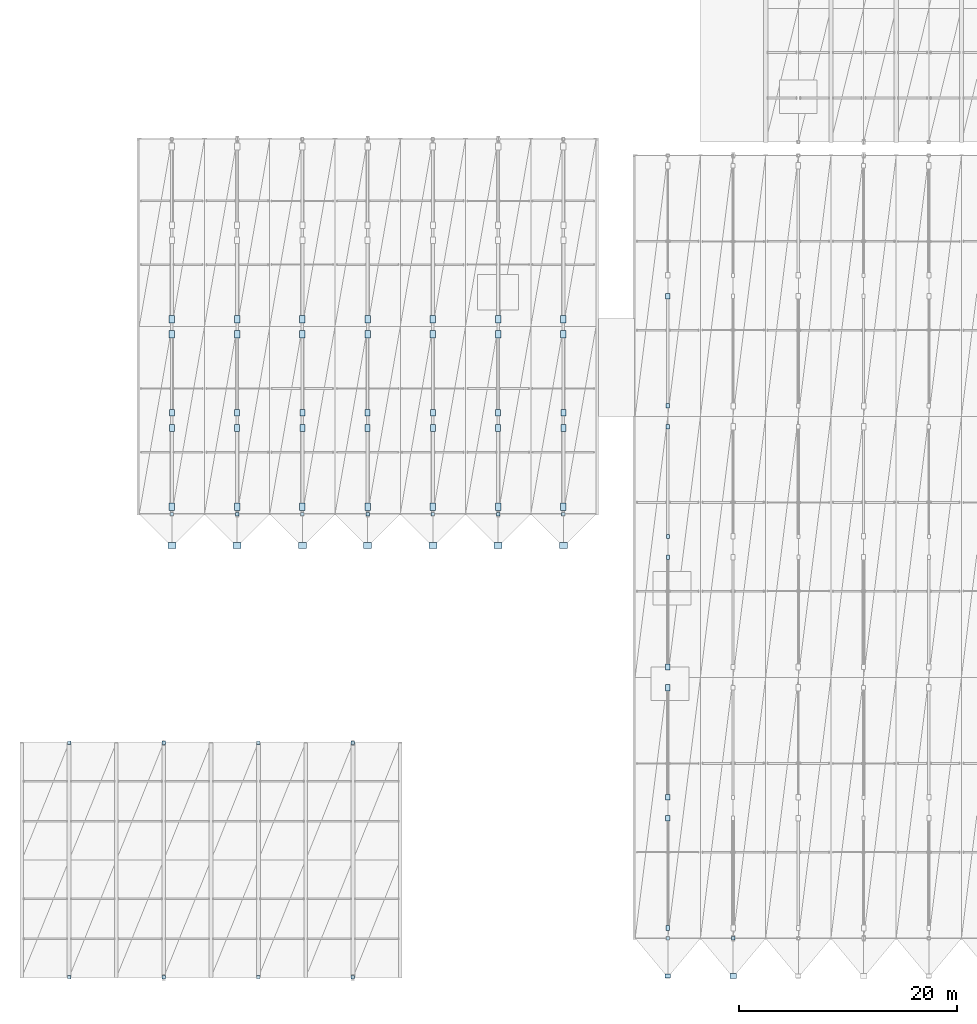
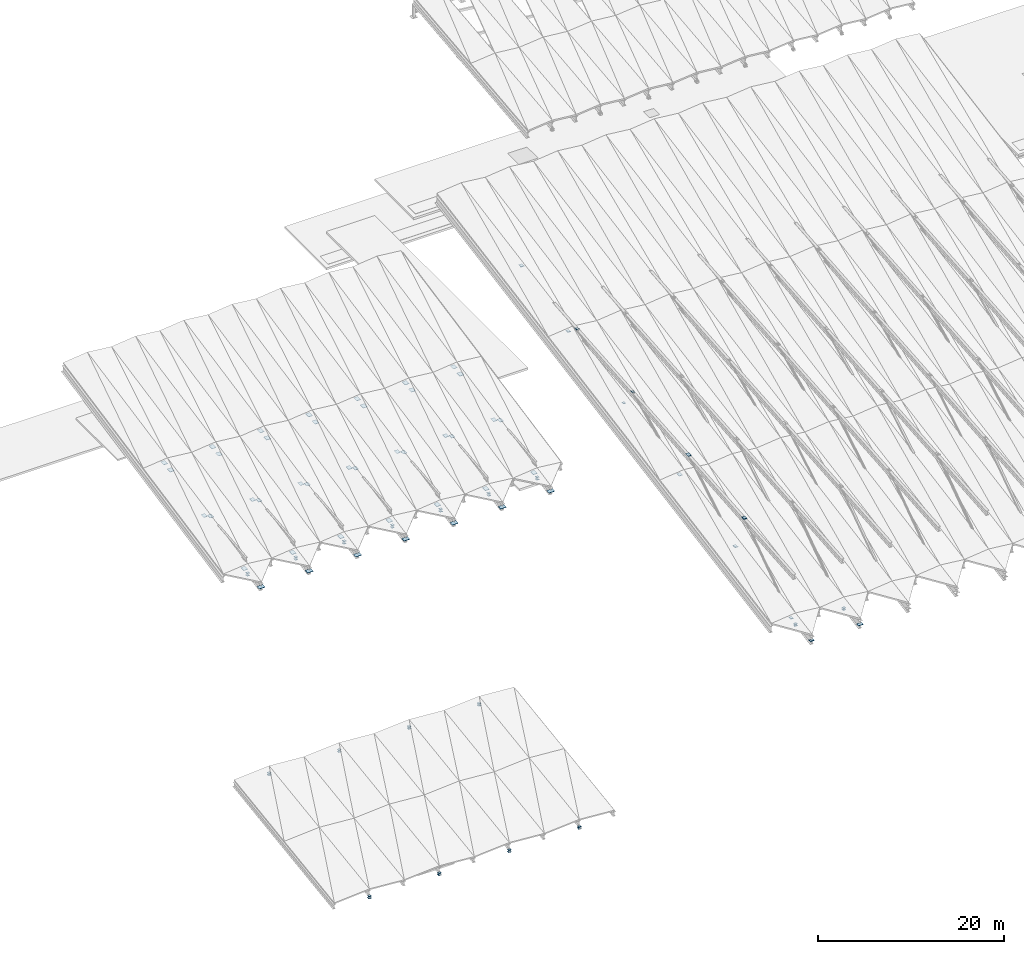
# One storey, part 25 of 52: 88 plates.
"""IFC4 building model written with IfcOpenShell, lengths in metres."""

from ifc_helpers import new_model, si_unit, direction, frame, origin, origin_2d, place, context, subcontext, project, spatial, rectangle, extrude, material, layer, layer_set, type_object, element, save


model = new_model("IFC4")

# Units and contexts
model_context = context("Model", 3, precision=1e-05, world=origin(), true_north=direction((0.0, 1.0)))
body_context = subcontext(model_context, "Body", "Model", "MODEL_VIEW")
ifc_project = project(units=[si_unit("LENGTHUNIT", "METRE"), si_unit("AREAUNIT", "SQUARE_METRE"), si_unit("VOLUMEUNIT", "CUBIC_METRE"), si_unit("PLANEANGLEUNIT", "RADIAN"), si_unit("MASSUNIT", "GRAM", prefix="KILO")], contexts=[model_context])

# Site, building, storey
site_placement = place(None, origin())
site = spatial("IfcSite", under=ifc_project, at=site_placement, CompositionType="ELEMENT")
building_placement = place(site_placement, origin())
building = spatial("IfcBuilding", under=site, at=building_placement, Name="Vaelkrest Opera House", CompositionType="ELEMENT")
storey_placement = place(building_placement, frame((0.0, 0.0, 41.39990234375)))
storey = spatial("IfcBuildingStorey", under=building, at=storey_placement, Name="ROOF", CompositionType="ELEMENT", Elevation=41.39990234375)

# Plates
ifc_material = material(Name="Steel A572 Gr50", Category="steel")
ifc_layer_1 = layer(ifc_material, 0.02392578125)
ifc_layer_set_1 = layer_set([ifc_layer_1], Name="Steel A572 Gr50")
plate_type_1 = type_object("IfcPlateType", Name="GP02", PredefinedType="USERDEFINED", material=ifc_layer_set_1)
plate_1_placement = place(storey_placement, frame((-27.0, -59.280029296875, -17.36083984375), z_axis=(0.0, 0.0, 1.0), x_axis=(1.0, 0.0, 0.0)))
element("IfcPlate", 1, at=plate_1_placement, inside=storey, type_object=plate_type_1, Name="Sawtooth eave node plate KN-V1-01", ObjectType="GUSSET PLATE", PredefinedType="USERDEFINED", context=body_context, shape_type="SweptSolid", body=[
    extrude(rectangle(XDim=0.47998046875, YDim=0.360107421875, at=origin_2d()), origin(), (0.0, 0.0, 1.0), 0.02392578125),
])
ifc_layer_2 = layer(ifc_material, 0.031982421875)
ifc_layer_set_2 = layer_set([ifc_layer_2], Name="Steel A572 Gr50")
plate_type_2 = type_object("IfcPlateType", Name="GP04", PredefinedType="USERDEFINED", material=ifc_layer_set_2)
plate_2_placement = place(storey_placement, frame((-21.0, -59.280029296875, -17.36474609375), z_axis=(0.0, 0.0, 1.0), x_axis=(1.0, 0.0, 0.0)))
element("IfcPlate", 2, at=plate_2_placement, inside=storey, type_object=plate_type_2, Name="Sawtooth eave node plate KN-V1-03", ObjectType="GUSSET PLATE", PredefinedType="USERDEFINED", context=body_context, shape_type="SweptSolid", body=[
    extrude(rectangle(XDim=0.60009765625, YDim=0.449951171875, at=origin_2d()), origin(), (0.0, 0.0, 1.0), 0.031982421875),
])
ifc_layer_3 = layer(ifc_material, 0.0400390625)
ifc_layer_set_3 = layer_set([ifc_layer_3], Name="Steel A572 Gr50")
plate_type_3 = type_object("IfcPlateType", Name="GP06", PredefinedType="USERDEFINED", material=ifc_layer_set_3)
for number, where, z_axis, x_axis, name in (
    (3, (-72.60009765625, -19.679931640625, -18.41796875), (0.0, 0.0, 1.0), (1.0, 0.0, 0.0), "Sawtooth eave node plate KN-V3-01"),
    (4, (-66.60009765625, -19.679931640625, -18.41796875), (0.0, 0.0, 1.0), (1.0, 0.0, 0.0), "Sawtooth eave node plate KN-V3-03"),
    (5, (-60.60009765625, -19.679931640625, -18.41796875), (0.0, 0.0, 1.0), (1.0, 0.0, 0.0), "Sawtooth eave node plate KN-V3-05"),
    (6, (-54.60009765625, -19.679931640625, -18.41796875), (0.0, 0.0, 1.0), (1.0, 0.0, 0.0), "Sawtooth eave node plate KN-V3-07"),
    (7, (-48.60009765625, -19.679931640625, -18.41796875), (0.0, 0.0, 1.0), (1.0, 0.0, 0.0), "Sawtooth eave node plate KN-V3-09"),
    (8, (-42.60009765625, -19.679931640625, -18.41796875), (0.0, 0.0, 1.0), (1.0, 0.0, 0.0), "Sawtooth eave node plate KN-V3-11"),
    (9, (-36.60009765625, -19.679931640625, -18.41796875), (0.0, 0.0, 1.0), (1.0, 0.0, 0.0), "Sawtooth eave node plate KN-V3-13"),
):
    element("IfcPlate", number, at=place(storey_placement, frame(where, z_axis=z_axis, x_axis=x_axis)), inside=storey, type_object=plate_type_3, Name=name, ObjectType="GUSSET PLATE", PredefinedType="USERDEFINED", context=body_context, shape_type="SweptSolid", body=[
        extrude(rectangle(XDim=0.719970703125, YDim=0.550048828125, at=origin_2d()), origin(), (0.0, 0.0, 1.0), 0.0400390625),
    ])
ifc_layer_4 = layer(ifc_material, 0.01806640625)
ifc_layer_set_4 = layer_set([ifc_layer_4], Name="Steel A572 Gr50")
plate_type_4 = type_object("IfcPlateType", Name="GP09", PredefinedType="USERDEFINED", material=ifc_layer_set_4)
for number, where, z_axis, x_axis, name in (
    (10, (-27.0, -20.760009765625, -8.04296875), (0.0, 0.0, 1.0), (0.0, 1.0, 0.0), "Truss bottom chord gusset plate KN-V1-01-3B"),
    (11, (-27.0, -18.840087890625, -10.662841796875), (0.0, 0.0, 1.0), (0.0, 1.0, 0.0), "Truss gusset plate KN-V1-01-4"),
):
    element("IfcPlate", number, at=place(storey_placement, frame(where, z_axis=z_axis, x_axis=x_axis)), inside=storey, type_object=plate_type_4, Name=name, ObjectType="GUSSET PLATE", PredefinedType="USERDEFINED", context=body_context, shape_type="SweptSolid", body=[
        extrude(rectangle(XDim=0.3798828125, YDim=0.280029296875, at=origin_2d()), origin(), (0.0, 0.0, 1.0), 0.01806640625),
    ])
ifc_layer_5 = layer(ifc_material, 0.02197265625)
ifc_layer_set_5 = layer_set([ifc_layer_5], Name="Steel A572 Gr50")
plate_type_5 = type_object("IfcPlateType", Name="GP10", PredefinedType="USERDEFINED", material=ifc_layer_set_5)
for number, where, z_axis, x_axis, name in (
    (12, (-27.0, -54.840087890625, -17.102783203125), (0.0, 0.0, 1.0), (0.0, 1.0, 0.0), "Truss gusset plate KN-V1-01-1"),
    (13, (-27.0, -8.760009765625, -7.031005859375), (0.0, 0.0, 1.0), (0.0, 1.0, 0.0), "Truss bottom chord gusset plate KN-V1-01-4B"),
    (14, (-27.0, -6.840087890625, -8.518798828125), (0.0, 0.0, 1.0), (0.0, 1.0, 0.0), "Truss gusset plate KN-V1-01-5"),
):
    element("IfcPlate", number, at=place(storey_placement, frame(where, z_axis=z_axis, x_axis=x_axis)), inside=storey, type_object=plate_type_5, Name=name, ObjectType="GUSSET PLATE", PredefinedType="USERDEFINED", context=body_context, shape_type="SweptSolid", body=[
        extrude(rectangle(XDim=0.43994140625, YDim=0.340087890625, at=origin_2d()), origin(), (0.0, 0.0, 1.0), 0.02197265625),
    ])
ifc_layer_6 = layer(ifc_material, 0.02587890625)
ifc_layer_set_6 = layer_set([ifc_layer_6], Name="Steel A572 Gr50")
plate_type_6 = type_object("IfcPlateType", Name="GP11", PredefinedType="USERDEFINED", material=ifc_layer_set_6)
for number, where, z_axis, x_axis, name in (
    (15, (-27.0, -44.760009765625, -10.074951171875), (0.0, 0.0, 1.0), (0.0, 1.0, 0.0), "Truss bottom chord gusset plate KN-V1-01-1B"),
    (16, (-27.0, -42.840087890625, -14.958740234375), (0.0, 0.0, 1.0), (0.0, 1.0, 0.0), "Truss gusset plate KN-V1-01-2"),
    (17, (-27.0, 3.239990234375, -6.018798828125), (0.0, 0.0, 1.0), (0.0, 1.0, 0.0), "Truss bottom chord gusset plate KN-V1-01-5B"),
):
    element("IfcPlate", number, at=place(storey_placement, frame(where, z_axis=z_axis, x_axis=x_axis)), inside=storey, type_object=plate_type_6, Name=name, ObjectType="GUSSET PLATE", PredefinedType="USERDEFINED", context=body_context, shape_type="SweptSolid", body=[
        extrude(rectangle(XDim=0.5, YDim=0.3798828125, at=origin_2d()), origin(), (0.0, 0.0, 1.0), 0.02587890625),
    ])
ifc_layer_7 = layer(ifc_material, 0.030029296875)
ifc_layer_set_7 = layer_set([ifc_layer_7], Name="Steel A572 Gr50")
plate_type_7 = type_object("IfcPlateType", Name="GP12", PredefinedType="USERDEFINED", material=ifc_layer_set_7)
for number, where, z_axis, x_axis, name in (
    (18, (-27.0, -32.760009765625, -9.06298828125), (0.0, 0.0, 1.0), (0.0, 1.0, 0.0), "Truss bottom chord gusset plate KN-V1-01-2B"),
    (19, (-27.0, -30.840087890625, -12.81494140625), (0.0, 0.0, 1.0), (0.0, 1.0, 0.0), "Truss gusset plate KN-V1-01-3"),
):
    element("IfcPlate", number, at=place(storey_placement, frame(where, z_axis=z_axis, x_axis=x_axis)), inside=storey, type_object=plate_type_7, Name=name, ObjectType="GUSSET PLATE", PredefinedType="USERDEFINED", context=body_context, shape_type="SweptSolid", body=[
        extrude(rectangle(XDim=0.56005859375, YDim=0.419921875, at=origin_2d()), origin(), (0.0, 0.0, 1.0), 0.030029296875),
    ])
ifc_layer_8 = layer(ifc_material, 0.033935546875)
ifc_layer_set_8 = layer_set([ifc_layer_8], Name="Steel A572 Gr50")
plate_type_8 = type_object("IfcPlateType", Name="GP13", PredefinedType="USERDEFINED", material=ifc_layer_set_8)
for number, where, z_axis, x_axis, name in (
    (20, (-72.60009765625, -8.864990234375, -15.6689453125), (0.0, 0.0, 1.0), (0.0, 1.0, 0.0), "Truss bottom chord gusset plate KN-V3-01-1B"),
    (21, (-72.60009765625, -7.485107421875, -16.43408203125), (0.0, 0.0, 1.0), (0.0, 1.0, 0.0), "Truss gusset plate KN-V3-01-2"),
    (22, (-66.60009765625, -8.864990234375, -15.6689453125), (0.0, 0.0, 1.0), (0.0, 1.0, 0.0), "Truss bottom chord gusset plate KN-V3-03-1B"),
    (23, (-66.60009765625, -7.485107421875, -16.43408203125), (0.0, 0.0, 1.0), (0.0, 1.0, 0.0), "Truss gusset plate KN-V3-03-2"),
    (24, (-60.60009765625, -8.864990234375, -15.6689453125), (0.0, 0.0, 1.0), (0.0, 1.0, 0.0), "Truss bottom chord gusset plate KN-V3-05-1B"),
    (25, (-60.60009765625, -7.485107421875, -16.43408203125), (0.0, 0.0, 1.0), (0.0, 1.0, 0.0), "Truss gusset plate KN-V3-05-2"),
    (26, (-54.60009765625, -8.864990234375, -15.6689453125), (0.0, 0.0, 1.0), (0.0, 1.0, 0.0), "Truss bottom chord gusset plate KN-V3-07-1B"),
    (27, (-54.60009765625, -7.485107421875, -16.43408203125), (0.0, 0.0, 1.0), (0.0, 1.0, 0.0), "Truss gusset plate KN-V3-07-2"),
    (28, (-48.60009765625, -8.864990234375, -15.6689453125), (0.0, 0.0, 1.0), (0.0, 1.0, 0.0), "Truss bottom chord gusset plate KN-V3-09-1B"),
    (29, (-48.60009765625, -7.485107421875, -16.43408203125), (0.0, 0.0, 1.0), (0.0, 1.0, 0.0), "Truss gusset plate KN-V3-09-2"),
    (30, (-42.60009765625, -8.864990234375, -15.6689453125), (0.0, 0.0, 1.0), (0.0, 1.0, 0.0), "Truss bottom chord gusset plate KN-V3-11-1B"),
    (31, (-42.60009765625, -7.485107421875, -16.43408203125), (0.0, 0.0, 1.0), (0.0, 1.0, 0.0), "Truss gusset plate KN-V3-11-2"),
    (32, (-36.60009765625, -8.864990234375, -15.6689453125), (0.0, 0.0, 1.0), (0.0, 1.0, 0.0), "Truss bottom chord gusset plate KN-V3-13-1B"),
    (33, (-36.60009765625, -7.485107421875, -16.43408203125), (0.0, 0.0, 1.0), (0.0, 1.0, 0.0), "Truss gusset plate KN-V3-13-2"),
):
    element("IfcPlate", number, at=place(storey_placement, frame(where, z_axis=z_axis, x_axis=x_axis)), inside=storey, type_object=plate_type_8, Name=name, ObjectType="GUSSET PLATE", PredefinedType="USERDEFINED", context=body_context, shape_type="SweptSolid", body=[
        extrude(rectangle(XDim=0.6201171875, YDim=0.4599609375, at=origin_2d()), origin(), (0.0, 0.0, 1.0), 0.033935546875),
    ])
ifc_layer_9 = layer(ifc_material, 0.0380859375)
ifc_layer_set_9 = layer_set([ifc_layer_9], Name="Steel A572 Gr50")
plate_type_9 = type_object("IfcPlateType", Name="GP14", PredefinedType="USERDEFINED", material=ifc_layer_set_9)
for number, where, z_axis, x_axis, name in (
    (34, (-72.60009765625, -16.110107421875, -18.155029296875), (0.0, 0.0, 1.0), (0.0, 1.0, 0.0), "Truss gusset plate KN-V3-01-1"),
    (35, (-72.60009765625, -0.239990234375, -14.829833984375), (0.0, 0.0, 1.0), (0.0, 1.0, 0.0), "Truss bottom chord gusset plate KN-V3-01-2B"),
    (36, (-72.60009765625, 1.139892578125, -14.717041015625), (0.0, 0.0, 1.0), (0.0, 1.0, 0.0), "Truss gusset plate KN-V3-01-3"),
    (37, (-66.60009765625, -16.110107421875, -18.155029296875), (0.0, 0.0, 1.0), (0.0, 1.0, 0.0), "Truss gusset plate KN-V3-03-1"),
    (38, (-66.60009765625, -0.239990234375, -14.829833984375), (0.0, 0.0, 1.0), (0.0, 1.0, 0.0), "Truss bottom chord gusset plate KN-V3-03-2B"),
    (39, (-66.60009765625, 1.139892578125, -14.717041015625), (0.0, 0.0, 1.0), (0.0, 1.0, 0.0), "Truss gusset plate KN-V3-03-3"),
    (40, (-60.60009765625, -16.110107421875, -18.155029296875), (0.0, 0.0, 1.0), (0.0, 1.0, 0.0), "Truss gusset plate KN-V3-05-1"),
    (41, (-60.60009765625, -0.239990234375, -14.829833984375), (0.0, 0.0, 1.0), (0.0, 1.0, 0.0), "Truss bottom chord gusset plate KN-V3-05-2B"),
    (42, (-60.60009765625, 1.139892578125, -14.717041015625), (0.0, 0.0, 1.0), (0.0, 1.0, 0.0), "Truss gusset plate KN-V3-05-3"),
    (43, (-54.60009765625, -16.110107421875, -18.155029296875), (0.0, 0.0, 1.0), (0.0, 1.0, 0.0), "Truss gusset plate KN-V3-07-1"),
    (44, (-54.60009765625, -0.239990234375, -14.829833984375), (0.0, 0.0, 1.0), (0.0, 1.0, 0.0), "Truss bottom chord gusset plate KN-V3-07-2B"),
    (45, (-54.60009765625, 1.139892578125, -14.717041015625), (0.0, 0.0, 1.0), (0.0, 1.0, 0.0), "Truss gusset plate KN-V3-07-3"),
    (46, (-48.60009765625, -16.110107421875, -18.155029296875), (0.0, 0.0, 1.0), (0.0, 1.0, 0.0), "Truss gusset plate KN-V3-09-1"),
    (47, (-48.60009765625, -0.239990234375, -14.829833984375), (0.0, 0.0, 1.0), (0.0, 1.0, 0.0), "Truss bottom chord gusset plate KN-V3-09-2B"),
    (48, (-48.60009765625, 1.139892578125, -14.717041015625), (0.0, 0.0, 1.0), (0.0, 1.0, 0.0), "Truss gusset plate KN-V3-09-3"),
    (49, (-42.60009765625, -16.110107421875, -18.155029296875), (0.0, 0.0, 1.0), (0.0, 1.0, 0.0), "Truss gusset plate KN-V3-11-1"),
    (50, (-42.60009765625, -0.239990234375, -14.829833984375), (0.0, 0.0, 1.0), (0.0, 1.0, 0.0), "Truss bottom chord gusset plate KN-V3-11-2B"),
    (51, (-42.60009765625, 1.139892578125, -14.717041015625), (0.0, 0.0, 1.0), (0.0, 1.0, 0.0), "Truss gusset plate KN-V3-11-3"),
    (52, (-36.60009765625, -16.110107421875, -18.155029296875), (0.0, 0.0, 1.0), (0.0, 1.0, 0.0), "Truss gusset plate KN-V3-13-1"),
    (53, (-36.60009765625, -0.239990234375, -14.829833984375), (0.0, 0.0, 1.0), (0.0, 1.0, 0.0), "Truss bottom chord gusset plate KN-V3-13-2B"),
    (54, (-36.60009765625, 1.139892578125, -14.717041015625), (0.0, 0.0, 1.0), (0.0, 1.0, 0.0), "Truss gusset plate KN-V3-13-3"),
):
    element("IfcPlate", number, at=place(storey_placement, frame(where, z_axis=z_axis, x_axis=x_axis)), inside=storey, type_object=plate_type_9, Name=name, ObjectType="GUSSET PLATE", PredefinedType="USERDEFINED", context=body_context, shape_type="SweptSolid", body=[
        extrude(rectangle(XDim=0.679931640625, YDim=0.52001953125, at=origin_2d()), origin(), (0.0, 0.0, 1.0), 0.0380859375),
    ])
ifc_layer_10 = layer(ifc_material, 0.01611328125)
ifc_layer_set_10 = layer_set([ifc_layer_10], Name="Steel A572 Gr50")
plate_type_10 = type_object("IfcPlateType", Name="GP15", PredefinedType="USERDEFINED", material=ifc_layer_set_10)
for number, where, z_axis, x_axis, name in (
    (55, (-27.0, -55.800048828125, -17.510009765625), (0.0, 0.0, 1.0), (1.0, 0.0, 0.0), "Saddle post end plate V1-S-01-B"),
    (56, (-27.0, -55.800048828125, -17.27197265625), (0.0, 0.0, 1.0), (1.0, 0.0, 0.0), "Saddle post end plate V1-S-01-T"),
    (57, (-21.0, -55.800048828125, -17.510009765625), (0.0, 0.0, 1.0), (1.0, 0.0, 0.0), "Saddle post end plate V1-S-03-B"),
    (58, (-21.0, -55.800048828125, -17.27197265625), (0.0, 0.0, 1.0), (1.0, 0.0, 0.0), "Saddle post end plate V1-S-03-T"),
    (59, (-72.60009765625, -16.800048828125, -18.594970703125), (0.0, 0.0, 1.0), (1.0, 0.0, 0.0), "Saddle post end plate V3-S-01-B"),
    (60, (-72.60009765625, -16.800048828125, -18.281982421875), (0.0, 0.0, 1.0), (1.0, 0.0, 0.0), "Saddle post end plate V3-S-01-T"),
    (61, (-66.60009765625, -16.800048828125, -18.594970703125), (0.0, 0.0, 1.0), (1.0, 0.0, 0.0), "Saddle post end plate V3-S-03-B"),
    (62, (-66.60009765625, -16.800048828125, -18.281982421875), (0.0, 0.0, 1.0), (1.0, 0.0, 0.0), "Saddle post end plate V3-S-03-T"),
    (63, (-60.60009765625, -16.800048828125, -18.594970703125), (0.0, 0.0, 1.0), (1.0, 0.0, 0.0), "Saddle post end plate V3-S-05-B"),
    (64, (-60.60009765625, -16.800048828125, -18.281982421875), (0.0, 0.0, 1.0), (1.0, 0.0, 0.0), "Saddle post end plate V3-S-05-T"),
    (65, (-54.60009765625, -16.800048828125, -18.594970703125), (0.0, 0.0, 1.0), (1.0, 0.0, 0.0), "Saddle post end plate V3-S-07-B"),
    (66, (-54.60009765625, -16.800048828125, -18.281982421875), (0.0, 0.0, 1.0), (1.0, 0.0, 0.0), "Saddle post end plate V3-S-07-T"),
    (67, (-48.60009765625, -16.800048828125, -18.594970703125), (0.0, 0.0, 1.0), (1.0, 0.0, 0.0), "Saddle post end plate V3-S-09-B"),
    (68, (-48.60009765625, -16.800048828125, -18.281982421875), (0.0, 0.0, 1.0), (1.0, 0.0, 0.0), "Saddle post end plate V3-S-09-T"),
    (69, (-42.60009765625, -16.800048828125, -18.594970703125), (0.0, 0.0, 1.0), (1.0, 0.0, 0.0), "Saddle post end plate V3-S-11-B"),
    (70, (-42.60009765625, -16.800048828125, -18.281982421875), (0.0, 0.0, 1.0), (1.0, 0.0, 0.0), "Saddle post end plate V3-S-11-T"),
    (71, (-36.60009765625, -16.800048828125, -18.594970703125), (0.0, 0.0, 1.0), (1.0, 0.0, 0.0), "Saddle post end plate V3-S-13-B"),
    (72, (-36.60009765625, -16.800048828125, -18.281982421875), (0.0, 0.0, 1.0), (1.0, 0.0, 0.0), "Saddle post end plate V3-S-13-T"),
    (73, (-82.050048828125, -59.39990234375, -31.85791015625), (0.0, 0.0, 1.0), (1.0, 0.0, 0.0), "Saddle post end plate V5-S-01-B"),
    (74, (-82.050048828125, -59.39990234375, -31.594970703125), (0.0, 0.0, 1.0), (1.0, 0.0, 0.0), "Saddle post end plate V5-S-01-T"),
    (75, (-82.050048828125, -37.800048828125, -28.778076171875), (0.0, 0.0, 1.0), (1.0, 0.0, 0.0), "Saddle post end plate V5-N-01-B"),
    (76, (-82.050048828125, -37.800048828125, -28.514892578125), (0.0, 0.0, 1.0), (1.0, 0.0, 0.0), "Saddle post end plate V5-N-01-T"),
    (77, (-73.35009765625, -59.39990234375, -31.85791015625), (0.0, 0.0, 1.0), (1.0, 0.0, 0.0), "Saddle post end plate V5-S-03-B"),
    (78, (-73.35009765625, -59.39990234375, -31.594970703125), (0.0, 0.0, 1.0), (1.0, 0.0, 0.0), "Saddle post end plate V5-S-03-T"),
    (79, (-73.35009765625, -37.800048828125, -28.778076171875), (0.0, 0.0, 1.0), (1.0, 0.0, 0.0), "Saddle post end plate V5-N-03-B"),
    (80, (-73.35009765625, -37.800048828125, -28.514892578125), (0.0, 0.0, 1.0), (1.0, 0.0, 0.0), "Saddle post end plate V5-N-03-T"),
    (81, (-64.64990234375, -59.39990234375, -31.85791015625), (0.0, 0.0, 1.0), (1.0, 0.0, 0.0), "Saddle post end plate V5-S-05-B"),
    (82, (-64.64990234375, -59.39990234375, -31.594970703125), (0.0, 0.0, 1.0), (1.0, 0.0, 0.0), "Saddle post end plate V5-S-05-T"),
    (83, (-64.64990234375, -37.800048828125, -28.778076171875), (0.0, 0.0, 1.0), (1.0, 0.0, 0.0), "Saddle post end plate V5-N-05-B"),
    (84, (-64.64990234375, -37.800048828125, -28.514892578125), (0.0, 0.0, 1.0), (1.0, 0.0, 0.0), "Saddle post end plate V5-N-05-T"),
    (85, (-55.949951171875, -59.39990234375, -31.85791015625), (0.0, 0.0, 1.0), (1.0, 0.0, 0.0), "Saddle post end plate V5-S-07-B"),
    (86, (-55.949951171875, -59.39990234375, -31.594970703125), (0.0, 0.0, 1.0), (1.0, 0.0, 0.0), "Saddle post end plate V5-S-07-T"),
    (87, (-55.949951171875, -37.800048828125, -28.778076171875), (0.0, 0.0, 1.0), (1.0, 0.0, 0.0), "Saddle post end plate V5-N-07-B"),
    (88, (-55.949951171875, -37.800048828125, -28.514892578125), (0.0, 0.0, 1.0), (1.0, 0.0, 0.0), "Saddle post end plate V5-N-07-T"),
):
    element("IfcPlate", number, at=place(storey_placement, frame(where, z_axis=z_axis, x_axis=x_axis)), inside=storey, type_object=plate_type_10, Name=name, ObjectType="GUSSET PLATE", PredefinedType="USERDEFINED", context=body_context, shape_type="SweptSolid", body=[
        extrude(rectangle(XDim=0.320068359375, YDim=0.320068359375, at=origin_2d()), origin(), (0.0, 0.0, 1.0), 0.01611328125),
    ])

save(model, "model.ifc")
